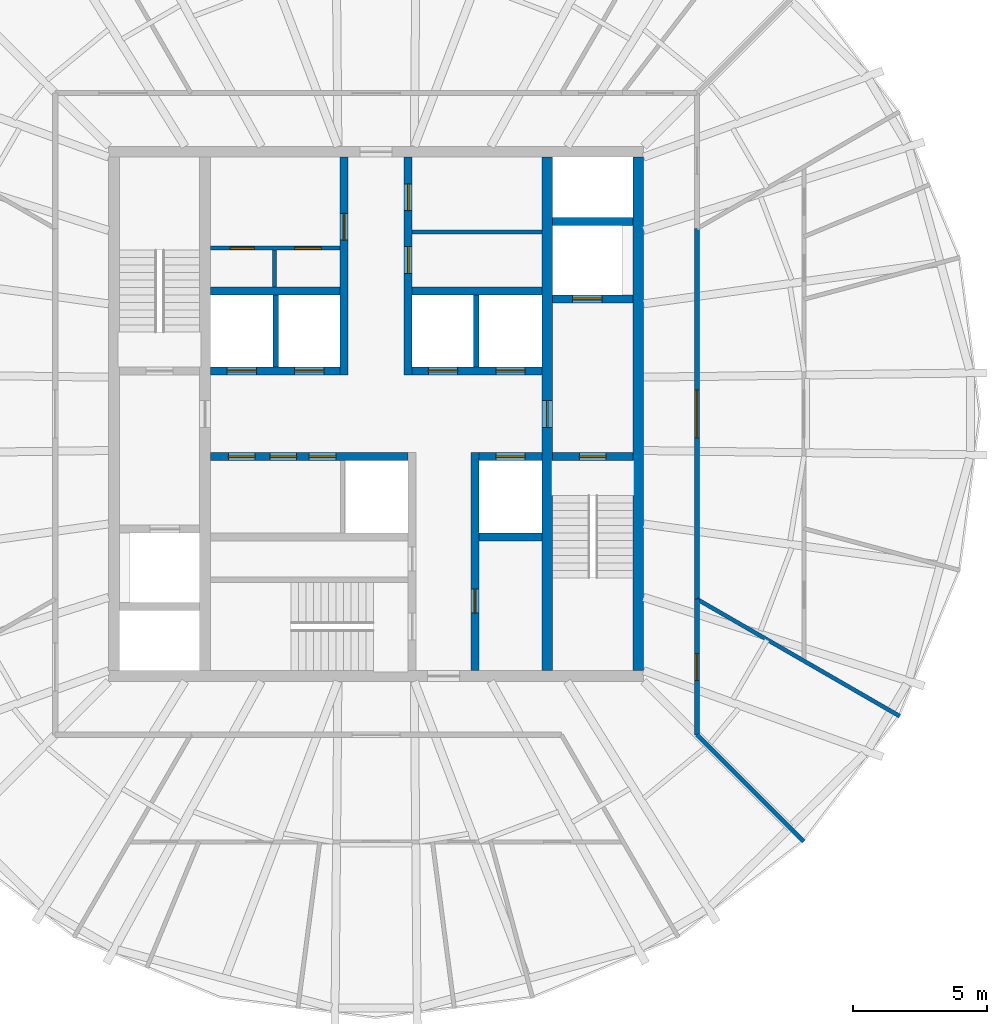
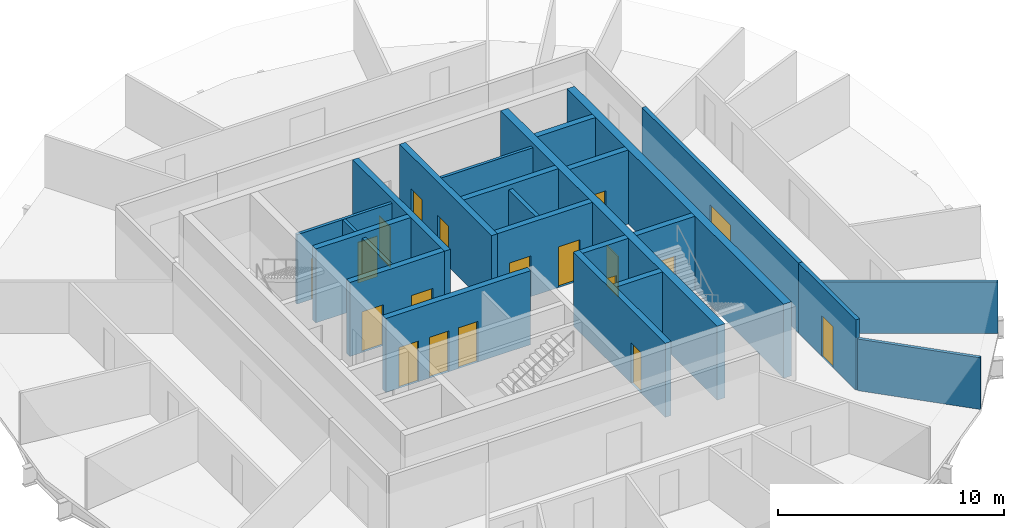
# One storey, part 4 of 6: 24 walls, 19 doors, 19 openings.
"""IFC4 building model written with IfcOpenShell, lengths in metres."""

from ifc_helpers import new_model, si_unit, direction, frame, frame_2d, origin, place, context, subcontext, project, spatial, rectangle, extrude, material, layer, layer_set, type_object, element, fill, save


model = new_model("IFC4")

# Units and contexts
model_context = context("Model", 3, precision=1e-05, world=origin(), true_north=direction((0.0, 1.0)))
body_context = subcontext(model_context, "Body", "Model", "MODEL_VIEW")
ifc_project = project(units=[si_unit("LENGTHUNIT", "METRE"), si_unit("AREAUNIT", "SQUARE_METRE"), si_unit("VOLUMEUNIT", "CUBIC_METRE"), si_unit("PLANEANGLEUNIT", "RADIAN"), si_unit("MASSUNIT", "GRAM", prefix="KILO")], contexts=[model_context])

# Site, building, storey
site_placement = place(None, origin())
site = spatial("IfcSite", under=ifc_project, at=site_placement, CompositionType="ELEMENT")
building_placement = place(site_placement, origin())
building = spatial("IfcBuilding", under=site, at=building_placement, Name="Golbaran Civic Tower", CompositionType="ELEMENT")
storey_placement = place(building_placement, frame((0.0, 0.0, 244.0)))
storey = spatial("IfcBuildingStorey", under=building, at=storey_placement, Name="L59", CompositionType="ELEMENT", Elevation=244.0)

# Walls
ifc_material_1 = material(Name="Concrete block", Category="concrete")
ifc_layer_1 = layer(ifc_material_1, 0.14990234375, Name="Concrete block")
ifc_layer_set_1 = layer_set([ifc_layer_1], Name="Concrete block")
wall_type_1 = type_object("IfcWallType", Name="BLOCKWORK PARTITION 150", PredefinedType="PARTITIONING", material=ifc_layer_set_1)
wall_1_placement = place(storey_placement, frame((1.35009765625, 6.800048828125, 0.0), z_axis=(0.0, 0.0, 1.0), x_axis=(1.0, 0.0, 0.0)))
element("IfcWall", 1, at=wall_1_placement, inside=storey, type_object=wall_type_1, Name="Toilet block partition TN1 L59", PredefinedType="PARTITIONING", context=body_context, shape_type="SweptSolid", body=[
    extrude(rectangle(XDim=4.849853515625, YDim=0.14990234375, at=frame_2d((2.4248046875, 0.0))), origin(), (0.0, 0.0, 1.0), 3.75),
])
ifc_material_2 = material(Name="Concrete C50/60", Category="concrete")
ifc_layer_2 = layer(ifc_material_2, 0.39990234375, Name="Concrete C50/60")
ifc_layer_set_2 = layer_set([ifc_layer_2], Name="Concrete C50/60")
wall_type_2 = type_object("IfcWallType", Name="CORE WALL CONCRETE 400", PredefinedType="SOLIDWALL", material=ifc_layer_set_2)
wall_2_placement = place(storey_placement, frame((9.800048828125, -9.60009765625, 0.0), z_axis=(0.0, 0.0, 1.0), x_axis=(0.0, 1.0, 0.0)))
element("IfcWall", 2, at=wall_2_placement, inside=storey, type_object=wall_type_2, Name="Core wall CE L59", PredefinedType="SOLIDWALL", context=body_context, shape_type="SweptSolid", body=[
    extrude(rectangle(XDim=19.2001953125, YDim=0.39990234375, at=frame_2d((9.60009765625, 0.0))), origin(), (0.0, 0.0, 1.0), 4.0),
])

# Wall, opening, door
wall_3_placement = place(storey_placement, frame((6.39990234375, 9.60009765625, 0.0), z_axis=(0.0, 0.0, 1.0), x_axis=(0.0, -1.0, 0.0)))
wall_3 = element("IfcWall", 3, at=wall_3_placement, inside=storey, type_object=wall_type_2, Name="Core wall IE L59", PredefinedType="SOLIDWALL", context=body_context, shape_type="SweptSolid", body=[
    extrude(rectangle(XDim=19.2001953125, YDim=0.39990234375, at=frame_2d((9.60009765625, 0.0))), origin(), (0.0, 0.0, 1.0), 4.0),
])
opening_1_placement = place(wall_3_placement, frame((9.10009765625, 0.0, 0.0)))
opening_1 = element("IfcOpeningElement", 4, at=opening_1_placement, cuts=wall_3, Name="Opening L59.FL2", PredefinedType="OPENING", context=body_context, shape_type="SweptSolid", body=[
    extrude(rectangle(XDim=1.0, YDim=2.199951171875, at=frame_2d((0.5, 1.10009765625))), frame((0.0, 0.2099609375, 0.0), z_axis=(0.0, -1.0, 0.0), x_axis=(1.0, 0.0, 0.0)), (0.0, 0.0, 1.0), 0.419921875),
])
ifc_material_3 = material(Name="Timber door set in steel frame", Category="steel")
door_type_1 = type_object("IfcDoorType", Name="STAIR DOOR 1000x2200", OperationType="SINGLE_SWING_LEFT", PredefinedType="DOOR", material=ifc_material_3)
door_1_placement = place(opening_1_placement, origin())
door_1 = element("IfcDoor", 5, at=door_1_placement, inside=storey, type_object=door_type_1, Name="Fire-fighting lobby FL2 door", OperationType="SINGLE_SWING_RIGHT", OverallHeight=2.199951171875, OverallWidth=1.0, PredefinedType="DOOR", context=body_context, shape_type="SweptSolid", body=[
    extrude(rectangle(XDim=1.0, YDim=2.199951171875, at=frame_2d((0.5, 1.10009765625))), frame((0.0, 0.02490234375, 0.0), z_axis=(0.0, -1.0, 0.0), x_axis=(1.0, 0.0, 0.0)), (0.0, 0.0, 1.0), 0.050048828125),
])
fill(opening_1, door_1)

ifc_material_4 = material(Name="Gypsum board on steel studs, fire-rated", Category="steel")
ifc_layer_3 = layer(ifc_material_4, 0.199951171875, Name="Gypsum board on steel studs, fire-rated")
ifc_layer_set_3 = layer_set([ifc_layer_3], Name="Gypsum board on steel studs, fire-rated")
wall_type_3 = type_object("IfcWallType", Name="CORRIDOR WALL 200", PredefinedType="PARTITIONING", material=ifc_layer_set_3)
wall_4_placement = place(storey_placement, frame((12.0, -6.92822265625, 0.0), z_axis=(0.0, 0.0, 1.0), x_axis=(0.0, 1.0, 0.0)))
wall_4 = element("IfcWall", 6, at=wall_4_placement, inside=storey, type_object=wall_type_3, Name="Corridor wall L59", PredefinedType="PARTITIONING", context=body_context, shape_type="SweptSolid", body=[
    extrude(rectangle(XDim=13.8564453125, YDim=0.199951171875, at=frame_2d((6.92822265625, 0.0))), origin(), (0.0, 0.0, 1.0), 3.800048828125),
])
opening_2_placement = place(wall_4_placement, frame((6.0283203125, 0.0, 0.0)))
opening_2 = element("IfcOpeningElement", 7, at=opening_2_placement, cuts=wall_4, Name="Opening L59.16", PredefinedType="OPENING", context=body_context, shape_type="SweptSolid", body=[
    extrude(rectangle(XDim=1.800048828125, YDim=2.199951171875, at=frame_2d((0.89990234375, 1.10009765625))), frame((0.0, 0.10986328125, 0.0), z_axis=(0.0, -1.0, 0.0), x_axis=(1.0, 0.0, 0.0)), (0.0, 0.0, 1.0), 0.219970703125),
])
door_type_2 = type_object("IfcDoorType", Name="OFFICE DOUBLE DOOR 1800x2200", OperationType="DOUBLE_DOOR_SINGLE_SWING", PredefinedType="DOOR", material=ifc_material_3)
door_2_placement = place(opening_2_placement, origin())
door_2 = element("IfcDoor", 8, at=door_2_placement, inside=storey, type_object=door_type_2, Name="Secretariat door L59", OperationType="DOUBLE_DOOR_SINGLE_SWING", OverallHeight=2.199951171875, OverallWidth=1.800048828125, PredefinedType="DOOR", context=body_context, shape_type="SweptSolid", body=[
    extrude(rectangle(XDim=1.800048828125, YDim=2.199951171875, at=frame_2d((0.89990234375, 1.10009765625))), frame((0.0, 0.02490234375, 0.0), z_axis=(0.0, -1.0, 0.0), x_axis=(1.0, 0.0, 0.0)), (0.0, 0.0, 1.0), 0.050048828125),
])
fill(opening_2, door_2)

wall_5_placement = place(storey_placement, frame((12.0, -12.0, 0.0), z_axis=(0.0, 0.0, 1.0), x_axis=(0.0, 1.0, 0.0)))
wall_5 = element("IfcWall", 9, at=wall_5_placement, inside=storey, type_object=wall_type_3, Name="Corridor wall L59", PredefinedType="PARTITIONING", context=body_context, shape_type="SweptSolid", body=[
    extrude(rectangle(XDim=5.07177734375, YDim=0.199951171875, at=frame_2d((2.535888671875, 0.0))), origin(), (0.0, 0.0, 1.0), 3.800048828125),
])
opening_3_placement = place(wall_5_placement, frame((2.035888671875, 0.0, 0.0)))
opening_3 = element("IfcOpeningElement", 10, at=opening_3_placement, cuts=wall_5, Name="Opening L59.25", PredefinedType="OPENING", context=body_context, shape_type="SweptSolid", body=[
    extrude(rectangle(XDim=1.0, YDim=2.199951171875, at=frame_2d((0.5, 1.10009765625))), frame((0.0, 0.10986328125, 0.0), z_axis=(0.0, -1.0, 0.0), x_axis=(1.0, 0.0, 0.0)), (0.0, 0.0, 1.0), 0.219970703125),
])
door_type_3 = type_object("IfcDoorType", Name="OFFICE DOOR 1000x2200", OperationType="SINGLE_SWING_LEFT", PredefinedType="DOOR", material=ifc_material_3)
door_3_placement = place(opening_3_placement, origin())
door_3 = element("IfcDoor", 11, at=door_3_placement, inside=storey, type_object=door_type_3, Name="Project Room door L59", OperationType="SINGLE_SWING_LEFT", OverallHeight=2.199951171875, OverallWidth=1.0, PredefinedType="DOOR", context=body_context, shape_type="SweptSolid", body=[
    extrude(rectangle(XDim=1.0, YDim=2.199951171875, at=frame_2d((0.5, 1.10009765625))), frame((0.0, 0.02490234375, 0.0), z_axis=(0.0, -1.0, 0.0), x_axis=(1.0, 0.0, 0.0)), (0.0, 0.0, 1.0), 0.050048828125),
])
fill(opening_3, door_3)

# Walls
ifc_layer_4 = layer(ifc_material_1, 0.199951171875, Name="Concrete block")
ifc_layer_set_4 = layer_set([ifc_layer_4], Name="Concrete block")
wall_type_4 = type_object("IfcWallType", Name="LIFT SEPARATOR WALL 200", PredefinedType="SOLIDWALL", material=ifc_layer_set_4)
for number, where, z_axis, x_axis, name in (
    (12, (-3.75, 1.75, 0.0), (0.0, 0.0, 1.0), (0.0, 1.0, 0.0), "Core partition SNW L59"),
    (13, (3.75, 1.75, 0.0), (0.0, 0.0, 1.0), (0.0, 1.0, 0.0), "Core partition SNE L59"),
):
    element("IfcWall", number, at=place(storey_placement, frame(where, z_axis=z_axis, x_axis=x_axis)), inside=storey, type_object=wall_type_4, Name=name, PredefinedType="SOLIDWALL", context=body_context, shape_type="SweptSolid", body=[
        extrude(rectangle(XDim=2.699951171875, YDim=0.199951171875, at=frame_2d((1.35009765625, 0.0))), origin(), (0.0, 0.0, 1.0), 3.75),
    ])
ifc_material_5 = material(Name="Gypsum board on steel studs", Category="steel")
ifc_layer_5 = layer(ifc_material_5, 0.14990234375, Name="Gypsum board on steel studs")
ifc_layer_set_5 = layer_set([ifc_layer_5], Name="Gypsum board on steel studs")
wall_type_5 = type_object("IfcWallType", Name="OFFICE PARTITION 150", PredefinedType="PARTITIONING", material=ifc_layer_set_5)
wall_6_placement = place(storey_placement, frame((12.0, -6.92822265625, 0.0), z_axis=(0.0, 0.0, 1.0), x_axis=(0.866020224182, -0.500008971228, 0.0)))
element("IfcWall", 14, at=wall_6_placement, inside=storey, type_object=wall_type_5, Name="Partition 330 L59", PredefinedType="PARTITIONING", context=body_context, shape_type="SweptSolid", body=[
    extrude(rectangle(XDim=8.752685546875, YDim=0.14990234375, at=frame_2d((4.37646484375, 0.0))), origin(), (0.0, 0.0, 1.0), 2.7900390625),
])
wall_7_placement = place(storey_placement, frame((12.0, -12.0, 0.0), z_axis=(0.0, 0.0, 1.0), x_axis=(0.707106781187, -0.707106781187, 0.0)))
element("IfcWall", 15, at=wall_7_placement, inside=storey, type_object=wall_type_5, Name="Partition 315 L59", PredefinedType="PARTITIONING", context=body_context, shape_type="SweptSolid", body=[
    extrude(rectangle(XDim=5.638671875, YDim=0.14990234375, at=frame_2d((2.8193359375, 0.0))), origin(), (0.0, 0.0, 1.0), 2.7900390625),
])

# Wall, openings, doors
ifc_layer_6 = layer(ifc_material_2, 0.300048828125, Name="Concrete C50/60")
ifc_layer_set_6 = layer_set([ifc_layer_6], Name="Concrete C50/60")
wall_type_6 = type_object("IfcWallType", Name="SHAFT WALL CONCRETE 300", PredefinedType="SOLIDWALL", material=ifc_layer_set_6)
wall_8_placement = place(storey_placement, frame((-6.199951171875, 1.60009765625, 0.0), z_axis=(0.0, 0.0, 1.0), x_axis=(1.0, 0.0, 0.0)))
wall_8 = element("IfcWall", 16, at=wall_8_placement, inside=storey, type_object=wall_type_6, Name="Core wall FNW L59", PredefinedType="SOLIDWALL", context=body_context, shape_type="SweptSolid", body=[
    extrude(rectangle(XDim=4.849853515625, YDim=0.300048828125, at=frame_2d((2.4248046875, 0.0))), origin(), (0.0, 0.0, 1.0), 4.0),
])
opening_4_placement = place(wall_8_placement, frame((0.625, 0.0, 0.0)))
opening_4 = element("IfcOpeningElement", 17, at=opening_4_placement, cuts=wall_8, Name="Opening L59.LD-Z1T", PredefinedType="OPENING", context=body_context, shape_type="SweptSolid", body=[
    extrude(rectangle(XDim=1.10009765625, YDim=2.199951171875, at=frame_2d((0.550048828125, 1.10009765625))), frame((0.0, 0.159912109375, 0.0), z_axis=(0.0, -1.0, 0.0), x_axis=(1.0, 0.0, 0.0)), (0.0, 0.0, 1.0), 0.320068359375),
])
opening_5_placement = place(wall_8_placement, frame((3.14990234375, 0.0, 0.0)))
opening_5 = element("IfcOpeningElement", 18, at=opening_5_placement, cuts=wall_8, Name="Opening L59.LD-Z2T", PredefinedType="OPENING", context=body_context, shape_type="SweptSolid", body=[
    extrude(rectangle(XDim=1.10009765625, YDim=2.199951171875, at=frame_2d((0.550048828125, 1.10009765625))), frame((0.0, 0.159912109375, 0.0), z_axis=(0.0, -1.0, 0.0), x_axis=(1.0, 0.0, 0.0)), (0.0, 0.0, 1.0), 0.320068359375),
])
ifc_material_6 = material(Name="Stainless steel", Category="steel")
door_type_4 = type_object("IfcDoorType", Name="LIFT LANDING DOOR 1100x2200", OperationType="SLIDING_TO_LEFT", PredefinedType="DOOR", material=ifc_material_6)
door_4_placement = place(opening_4_placement, origin())
door_4 = element("IfcDoor", 19, at=door_4_placement, inside=storey, type_object=door_type_4, Name="Lift landing door Z1T", OperationType="SLIDING_TO_LEFT", OverallHeight=2.199951171875, OverallWidth=1.10009765625, PredefinedType="DOOR", context=body_context, shape_type="SweptSolid", body=[
    extrude(rectangle(XDim=1.10009765625, YDim=2.199951171875, at=frame_2d((0.550048828125, 1.10009765625))), frame((0.0, 0.02490234375, 0.0), z_axis=(0.0, -1.0, 0.0), x_axis=(1.0, 0.0, 0.0)), (0.0, 0.0, 1.0), 0.050048828125),
])
fill(opening_4, door_4)
door_5_placement = place(opening_5_placement, origin())
door_5 = element("IfcDoor", 20, at=door_5_placement, inside=storey, type_object=door_type_4, Name="Lift landing door Z2T", OperationType="SLIDING_TO_LEFT", OverallHeight=2.199951171875, OverallWidth=1.10009765625, PredefinedType="DOOR", context=body_context, shape_type="SweptSolid", body=[
    extrude(rectangle(XDim=1.10009765625, YDim=2.199951171875, at=frame_2d((0.550048828125, 1.10009765625))), frame((0.0, 0.02490234375, 0.0), z_axis=(0.0, -1.0, 0.0), x_axis=(1.0, 0.0, 0.0)), (0.0, 0.0, 1.0), 0.050048828125),
])
fill(opening_5, door_5)

wall_9_placement = place(storey_placement, frame((1.35009765625, 1.60009765625, 0.0), z_axis=(0.0, 0.0, 1.0), x_axis=(1.0, 0.0, 0.0)))
wall_9 = element("IfcWall", 21, at=wall_9_placement, inside=storey, type_object=wall_type_6, Name="Core wall FNE L59", PredefinedType="SOLIDWALL", context=body_context, shape_type="SweptSolid", body=[
    extrude(rectangle(XDim=4.849853515625, YDim=0.300048828125, at=frame_2d((2.4248046875, 0.0))), origin(), (0.0, 0.0, 1.0), 4.0),
])
opening_6_placement = place(wall_9_placement, frame((0.60009765625, 0.0, 0.0)))
opening_6 = element("IfcOpeningElement", 22, at=opening_6_placement, cuts=wall_9, Name="Opening L59.LD-Z3T", PredefinedType="OPENING", context=body_context, shape_type="SweptSolid", body=[
    extrude(rectangle(XDim=1.10009765625, YDim=2.199951171875, at=frame_2d((0.550048828125, 1.10009765625))), frame((0.0, 0.159912109375, 0.0), z_axis=(0.0, -1.0, 0.0), x_axis=(1.0, 0.0, 0.0)), (0.0, 0.0, 1.0), 0.320068359375),
])
opening_7_placement = place(wall_9_placement, frame((3.125, 0.0, 0.0)))
opening_7 = element("IfcOpeningElement", 23, at=opening_7_placement, cuts=wall_9, Name="Opening L59.LD-Z4T", PredefinedType="OPENING", context=body_context, shape_type="SweptSolid", body=[
    extrude(rectangle(XDim=1.10009765625, YDim=2.199951171875, at=frame_2d((0.550048828125, 1.10009765625))), frame((0.0, 0.159912109375, 0.0), z_axis=(0.0, -1.0, 0.0), x_axis=(1.0, 0.0, 0.0)), (0.0, 0.0, 1.0), 0.320068359375),
])
door_6_placement = place(opening_6_placement, origin())
door_6 = element("IfcDoor", 24, at=door_6_placement, inside=storey, type_object=door_type_4, Name="Lift landing door Z3T", OperationType="SLIDING_TO_LEFT", OverallHeight=2.199951171875, OverallWidth=1.10009765625, PredefinedType="DOOR", context=body_context, shape_type="SweptSolid", body=[
    extrude(rectangle(XDim=1.10009765625, YDim=2.199951171875, at=frame_2d((0.550048828125, 1.10009765625))), frame((0.0, 0.02490234375, 0.0), z_axis=(0.0, -1.0, 0.0), x_axis=(1.0, 0.0, 0.0)), (0.0, 0.0, 1.0), 0.050048828125),
])
fill(opening_6, door_6)
door_7_placement = place(opening_7_placement, origin())
door_7 = element("IfcDoor", 25, at=door_7_placement, inside=storey, type_object=door_type_4, Name="Lift landing door Z4T", OperationType="SLIDING_TO_LEFT", OverallHeight=2.199951171875, OverallWidth=1.10009765625, PredefinedType="DOOR", context=body_context, shape_type="SweptSolid", body=[
    extrude(rectangle(XDim=1.10009765625, YDim=2.199951171875, at=frame_2d((0.550048828125, 1.10009765625))), frame((0.0, 0.02490234375, 0.0), z_axis=(0.0, -1.0, 0.0), x_axis=(1.0, 0.0, 0.0)), (0.0, 0.0, 1.0), 0.050048828125),
])
fill(opening_7, door_7)

# Walls
for number, where, z_axis, x_axis, name in (
    (26, (-6.199951171875, 4.60009765625, 0.0), (0.0, 0.0, 1.0), (1.0, 0.0, 0.0), "Core wall BNW L59"),
    (27, (1.35009765625, 4.60009765625, 0.0), (0.0, 0.0, 1.0), (1.0, 0.0, 0.0), "Core wall BNE L59"),
):
    element("IfcWall", number, at=place(storey_placement, frame(where, z_axis=z_axis, x_axis=x_axis)), inside=storey, type_object=wall_type_6, Name=name, PredefinedType="SOLIDWALL", context=body_context, shape_type="SweptSolid", body=[
        extrude(rectangle(XDim=4.849853515625, YDim=0.300048828125, at=frame_2d((2.4248046875, 0.0))), origin(), (0.0, 0.0, 1.0), 4.0),
    ])

# Wall, opening, door
wall_10_placement = place(storey_placement, frame((-1.199951171875, 1.449951171875, 0.0), z_axis=(0.0, 0.0, 1.0), x_axis=(0.0, 1.0, 0.0)))
wall_10 = element("IfcWall", 28, at=wall_10_placement, inside=storey, type_object=wall_type_6, Name="Core wall PNW L59", PredefinedType="SOLIDWALL", context=body_context, shape_type="SweptSolid", body=[
    extrude(rectangle(XDim=8.150146484375, YDim=0.300048828125, at=frame_2d((4.0751953125, 0.0))), origin(), (0.0, 0.0, 1.0), 4.0),
])
opening_8_placement = place(wall_10_placement, frame((5.050048828125, 0.0, 0.0)))
opening_8 = element("IfcOpeningElement", 29, at=opening_8_placement, cuts=wall_10, Name="Opening L59.WCM", PredefinedType="OPENING", context=body_context, shape_type="SweptSolid", body=[
    extrude(rectangle(XDim=1.0, YDim=2.199951171875, at=frame_2d((0.5, 1.10009765625))), frame((0.0, 0.159912109375, 0.0), z_axis=(0.0, -1.0, 0.0), x_axis=(1.0, 0.0, 0.0)), (0.0, 0.0, 1.0), 0.320068359375),
])
door_type_5 = type_object("IfcDoorType", Name="TOILET DOOR 1000x2200", OperationType="SINGLE_SWING_LEFT", PredefinedType="DOOR", material=ifc_material_3)
door_8_placement = place(opening_8_placement, origin())
door_8 = element("IfcDoor", 30, at=door_8_placement, inside=storey, type_object=door_type_5, Name="North-west toilet block door", OperationType="SINGLE_SWING_RIGHT", OverallHeight=2.199951171875, OverallWidth=1.0, PredefinedType="DOOR", context=body_context, shape_type="SweptSolid", body=[
    extrude(rectangle(XDim=1.0, YDim=2.199951171875, at=frame_2d((0.5, 1.10009765625))), frame((0.0, 0.02490234375, 0.0), z_axis=(0.0, -1.0, 0.0), x_axis=(1.0, 0.0, 0.0)), (0.0, 0.0, 1.0), 0.050048828125),
])
fill(opening_8, door_8)

# Wall, openings, doors
wall_11_placement = place(storey_placement, frame((1.199951171875, 1.449951171875, 0.0), z_axis=(0.0, 0.0, 1.0), x_axis=(0.0, 1.0, 0.0)))
wall_11 = element("IfcWall", 31, at=wall_11_placement, inside=storey, type_object=wall_type_6, Name="Core wall PNE L59", PredefinedType="SOLIDWALL", context=body_context, shape_type="SweptSolid", body=[
    extrude(rectangle(XDim=8.150146484375, YDim=0.300048828125, at=frame_2d((4.0751953125, 0.0))), origin(), (0.0, 0.0, 1.0), 4.0),
])
opening_9_placement = place(wall_11_placement, frame((3.800048828125, 0.0, 0.0)))
opening_9 = element("IfcOpeningElement", 32, at=opening_9_placement, cuts=wall_11, Name="Opening L59.WCA", PredefinedType="OPENING", context=body_context, shape_type="SweptSolid", body=[
    extrude(rectangle(XDim=1.0, YDim=2.199951171875, at=frame_2d((0.5, 1.10009765625))), frame((0.0, 0.159912109375, 0.0), z_axis=(0.0, -1.0, 0.0), x_axis=(1.0, 0.0, 0.0)), (0.0, 0.0, 1.0), 0.320068359375),
])
opening_10_placement = place(wall_11_placement, frame((6.14990234375, 0.0, 0.0)))
opening_10 = element("IfcOpeningElement", 33, at=opening_10_placement, cuts=wall_11, Name="Opening L59.WCF", PredefinedType="OPENING", context=body_context, shape_type="SweptSolid", body=[
    extrude(rectangle(XDim=1.0, YDim=2.199951171875, at=frame_2d((0.5, 1.10009765625))), frame((0.0, 0.159912109375, 0.0), z_axis=(0.0, -1.0, 0.0), x_axis=(1.0, 0.0, 0.0)), (0.0, 0.0, 1.0), 0.320068359375),
])
door_9_placement = place(opening_9_placement, origin())
door_9 = element("IfcDoor", 34, at=door_9_placement, inside=storey, type_object=door_type_5, Name="Accessible WC door", OperationType="SINGLE_SWING_RIGHT", OverallHeight=2.199951171875, OverallWidth=1.0, PredefinedType="DOOR", context=body_context, shape_type="SweptSolid", body=[
    extrude(rectangle(XDim=1.0, YDim=2.199951171875, at=frame_2d((0.5, 1.10009765625))), frame((0.0, 0.02490234375, 0.0), z_axis=(0.0, -1.0, 0.0), x_axis=(1.0, 0.0, 0.0)), (0.0, 0.0, 1.0), 0.050048828125),
])
fill(opening_9, door_9)
door_10_placement = place(opening_10_placement, origin())
door_10 = element("IfcDoor", 35, at=door_10_placement, inside=storey, type_object=door_type_5, Name="North-east toilet block door", OperationType="SINGLE_SWING_RIGHT", OverallHeight=2.199951171875, OverallWidth=1.0, PredefinedType="DOOR", context=body_context, shape_type="SweptSolid", body=[
    extrude(rectangle(XDim=1.0, YDim=2.199951171875, at=frame_2d((0.5, 1.10009765625))), frame((0.0, 0.02490234375, 0.0), z_axis=(0.0, -1.0, 0.0), x_axis=(1.0, 0.0, 0.0)), (0.0, 0.0, 1.0), 0.050048828125),
])
fill(opening_10, door_10)

wall_12_placement = place(storey_placement, frame((-6.199951171875, -1.60009765625, 0.0), z_axis=(0.0, 0.0, 1.0), x_axis=(1.0, 0.0, 0.0)))
wall_12 = element("IfcWall", 36, at=wall_12_placement, inside=storey, type_object=wall_type_6, Name="Core wall FSW L59", PredefinedType="SOLIDWALL", context=body_context, shape_type="SweptSolid", body=[
    extrude(rectangle(XDim=7.39990234375, YDim=0.300048828125, at=frame_2d((3.699951171875, 0.0))), origin(), (0.0, 0.0, 1.0), 4.0),
])
opening_11_placement = place(wall_12_placement, frame((0.675048828125, 0.0, 0.0)))
opening_11 = element("IfcOpeningElement", 37, at=opening_11_placement, cuts=wall_12, Name="Opening L59.H1R", PredefinedType="OPENING", context=body_context, shape_type="SweptSolid", body=[
    extrude(rectangle(XDim=1.0, YDim=2.199951171875, at=frame_2d((0.5, 1.10009765625))), frame((0.0, 0.159912109375, 0.0), z_axis=(0.0, -1.0, 0.0), x_axis=(1.0, 0.0, 0.0)), (0.0, 0.0, 1.0), 0.320068359375),
])
opening_12_placement = place(wall_12_placement, frame((2.22509765625, 0.0, 0.0)))
opening_12 = element("IfcOpeningElement", 38, at=opening_12_placement, cuts=wall_12, Name="Opening L59.H2R", PredefinedType="OPENING", context=body_context, shape_type="SweptSolid", body=[
    extrude(rectangle(XDim=1.0, YDim=2.199951171875, at=frame_2d((0.5, 1.10009765625))), frame((0.0, 0.159912109375, 0.0), z_axis=(0.0, -1.0, 0.0), x_axis=(1.0, 0.0, 0.0)), (0.0, 0.0, 1.0), 0.320068359375),
])
opening_13_placement = place(wall_12_placement, frame((3.695068359375, 0.0, 0.0)))
opening_13 = element("IfcOpeningElement", 39, at=opening_13_placement, cuts=wall_12, Name="Opening L59.H3R", PredefinedType="OPENING", context=body_context, shape_type="SweptSolid", body=[
    extrude(rectangle(XDim=1.0, YDim=2.199951171875, at=frame_2d((0.5, 1.10009765625))), frame((0.0, 0.159912109375, 0.0), z_axis=(0.0, -1.0, 0.0), x_axis=(1.0, 0.0, 0.0)), (0.0, 0.0, 1.0), 0.320068359375),
])
door_type_6 = type_object("IfcDoorType", Name="CORE ROOM DOOR 1000x2200", OperationType="SINGLE_SWING_LEFT", PredefinedType="DOOR", material=ifc_material_3)
door_11_placement = place(opening_11_placement, origin())
door_11 = element("IfcDoor", 40, at=door_11_placement, inside=storey, type_object=door_type_6, Name="Archive and Records Room door", OperationType="SINGLE_SWING_LEFT", OverallHeight=2.199951171875, OverallWidth=1.0, PredefinedType="DOOR", context=body_context, shape_type="SweptSolid", body=[
    extrude(rectangle(XDim=1.0, YDim=2.199951171875, at=frame_2d((0.5, 1.10009765625))), frame((0.0, 0.02490234375, 0.0), z_axis=(0.0, -1.0, 0.0), x_axis=(1.0, 0.0, 0.0)), (0.0, 0.0, 1.0), 0.050048828125),
])
fill(opening_11, door_11)
door_12_placement = place(opening_12_placement, origin())
door_12 = element("IfcDoor", 41, at=door_12_placement, inside=storey, type_object=door_type_6, Name="Archive and Records Room door", OperationType="SINGLE_SWING_LEFT", OverallHeight=2.199951171875, OverallWidth=1.0, PredefinedType="DOOR", context=body_context, shape_type="SweptSolid", body=[
    extrude(rectangle(XDim=1.0, YDim=2.199951171875, at=frame_2d((0.5, 1.10009765625))), frame((0.0, 0.02490234375, 0.0), z_axis=(0.0, -1.0, 0.0), x_axis=(1.0, 0.0, 0.0)), (0.0, 0.0, 1.0), 0.050048828125),
])
fill(opening_12, door_12)
door_13_placement = place(opening_13_placement, origin())
door_13 = element("IfcDoor", 42, at=door_13_placement, inside=storey, type_object=door_type_6, Name="Archive and Records Room door", OperationType="SINGLE_SWING_RIGHT", OverallHeight=2.199951171875, OverallWidth=1.0, PredefinedType="DOOR", context=body_context, shape_type="SweptSolid", body=[
    extrude(rectangle(XDim=1.0, YDim=2.199951171875, at=frame_2d((0.5, 1.10009765625))), frame((0.0, 0.02490234375, 0.0), z_axis=(0.0, -1.0, 0.0), x_axis=(1.0, 0.0, 0.0)), (0.0, 0.0, 1.0), 0.050048828125),
])
fill(opening_13, door_13)

# Wall, opening, door
wall_13_placement = place(storey_placement, frame((3.85009765625, -1.60009765625, 0.0), z_axis=(0.0, 0.0, 1.0), x_axis=(1.0, 0.0, 0.0)))
wall_13 = element("IfcWall", 43, at=wall_13_placement, inside=storey, type_object=wall_type_6, Name="Core wall FSE L59", PredefinedType="SOLIDWALL", context=body_context, shape_type="SweptSolid", body=[
    extrude(rectangle(XDim=2.349853515625, YDim=0.300048828125, at=frame_2d((1.1748046875, 0.0))), origin(), (0.0, 0.0, 1.0), 4.0),
])
opening_14_placement = place(wall_13_placement, frame((0.625, 0.0, 0.0)))
opening_14 = element("IfcOpeningElement", 44, at=opening_14_placement, cuts=wall_13, Name="Opening L59.LD-V1", PredefinedType="OPENING", context=body_context, shape_type="SweptSolid", body=[
    extrude(rectangle(XDim=1.10009765625, YDim=2.199951171875, at=frame_2d((0.550048828125, 1.10009765625))), frame((0.0, 0.159912109375, 0.0), z_axis=(0.0, -1.0, 0.0), x_axis=(1.0, 0.0, 0.0)), (0.0, 0.0, 1.0), 0.320068359375),
])
door_14_placement = place(opening_14_placement, origin())
door_14 = element("IfcDoor", 45, at=door_14_placement, inside=storey, type_object=door_type_4, Name="Lift landing door V1", OperationType="SLIDING_TO_LEFT", OverallHeight=2.199951171875, OverallWidth=1.10009765625, PredefinedType="DOOR", context=body_context, shape_type="SweptSolid", body=[
    extrude(rectangle(XDim=1.10009765625, YDim=2.199951171875, at=frame_2d((0.550048828125, 1.10009765625))), frame((0.0, 0.02490234375, 0.0), z_axis=(0.0, -1.0, 0.0), x_axis=(1.0, 0.0, 0.0)), (0.0, 0.0, 1.0), 0.050048828125),
])
fill(opening_14, door_14)

# Wall
wall_14_placement = place(storey_placement, frame((3.85009765625, -4.60009765625, 0.0), z_axis=(0.0, 0.0, 1.0), x_axis=(1.0, 0.0, 0.0)))
element("IfcWall", 46, at=wall_14_placement, inside=storey, type_object=wall_type_6, Name="Core wall BSE L59", PredefinedType="SOLIDWALL", context=body_context, shape_type="SweptSolid", body=[
    extrude(rectangle(XDim=2.349853515625, YDim=0.300048828125, at=frame_2d((1.1748046875, 0.0))), origin(), (0.0, 0.0, 1.0), 4.0),
])

# Wall, opening, door
wall_15_placement = place(storey_placement, frame((3.699951171875, -1.449951171875, 0.0), z_axis=(0.0, 0.0, 1.0), x_axis=(0.0, -1.0, 0.0)))
wall_15 = element("IfcWall", 47, at=wall_15_placement, inside=storey, type_object=wall_type_6, Name="Core wall PSE L59", PredefinedType="SOLIDWALL", context=body_context, shape_type="SweptSolid", body=[
    extrude(rectangle(XDim=8.150146484375, YDim=0.300048828125, at=frame_2d((4.0751953125, 0.0))), origin(), (0.0, 0.0, 1.0), 4.0),
])
opening_15_placement = place(wall_15_placement, frame((5.10009765625, 0.0, 0.0)))
opening_15 = element("IfcOpeningElement", 48, at=opening_15_placement, cuts=wall_15, Name="Opening L59.RM", PredefinedType="OPENING", context=body_context, shape_type="SweptSolid", body=[
    extrude(rectangle(XDim=0.89990234375, YDim=2.199951171875, at=frame_2d((0.449951171875, 1.10009765625))), frame((0.0, 0.159912109375, 0.0), z_axis=(0.0, -1.0, 0.0), x_axis=(1.0, 0.0, 0.0)), (0.0, 0.0, 1.0), 0.320068359375),
])
door_type_7 = type_object("IfcDoorType", Name="RISER DOOR 900x2200", OperationType="SINGLE_SWING_LEFT", PredefinedType="DOOR", material=ifc_material_3)
door_15_placement = place(opening_15_placement, origin())
door_15 = element("IfcDoor", 49, at=door_15_placement, inside=storey, type_object=door_type_7, Name="Mechanical riser door", OperationType="SINGLE_SWING_RIGHT", OverallHeight=2.199951171875, OverallWidth=0.89990234375, PredefinedType="DOOR", context=body_context, shape_type="SweptSolid", body=[
    extrude(rectangle(XDim=0.89990234375, YDim=2.199951171875, at=frame_2d((0.449951171875, 1.10009765625))), frame((0.0, 0.02490234375, 0.0), z_axis=(0.0, -1.0, 0.0), x_axis=(1.0, 0.0, 0.0)), (0.0, 0.0, 1.0), 0.050048828125),
])
fill(opening_15, door_15)

wall_16_placement = place(storey_placement, frame((6.60009765625, -1.60009765625, 0.0), z_axis=(0.0, 0.0, 1.0), x_axis=(1.0, 0.0, 0.0)))
wall_16 = element("IfcWall", 50, at=wall_16_placement, inside=storey, type_object=wall_type_6, Name="Core wall XE1 L59", PredefinedType="SOLIDWALL", context=body_context, shape_type="SweptSolid", body=[
    extrude(rectangle(XDim=3.0, YDim=0.300048828125, at=frame_2d((1.5, 0.0))), origin(), (0.0, 0.0, 1.0), 4.0),
])
opening_16_placement = place(wall_16_placement, frame((1.0, 0.0, 0.0)))
opening_16 = element("IfcOpeningElement", 51, at=opening_16_placement, cuts=wall_16, Name="Opening L59.S2", PredefinedType="OPENING", context=body_context, shape_type="SweptSolid", body=[
    extrude(rectangle(XDim=1.0, YDim=2.199951171875, at=frame_2d((0.5, 1.10009765625))), frame((0.0, 0.159912109375, 0.0), z_axis=(0.0, -1.0, 0.0), x_axis=(1.0, 0.0, 0.0)), (0.0, 0.0, 1.0), 0.320068359375),
])
door_16_placement = place(opening_16_placement, origin())
door_16 = element("IfcDoor", 52, at=door_16_placement, inside=storey, type_object=door_type_1, Name="Stair S2 door", OperationType="SINGLE_SWING_LEFT", OverallHeight=2.199951171875, OverallWidth=1.0, PredefinedType="DOOR", context=body_context, shape_type="SweptSolid", body=[
    extrude(rectangle(XDim=1.0, YDim=2.199951171875, at=frame_2d((0.5, 1.10009765625))), frame((0.0, 0.02490234375, 0.0), z_axis=(0.0, -1.0, 0.0), x_axis=(1.0, 0.0, 0.0)), (0.0, 0.0, 1.0), 0.050048828125),
])
fill(opening_16, door_16)

wall_17_placement = place(storey_placement, frame((6.60009765625, 4.300048828125, 0.0), z_axis=(0.0, 0.0, 1.0), x_axis=(1.0, 0.0, 0.0)))
wall_17 = element("IfcWall", 53, at=wall_17_placement, inside=storey, type_object=wall_type_6, Name="Core wall XE2 L59", PredefinedType="SOLIDWALL", context=body_context, shape_type="SweptSolid", body=[
    extrude(rectangle(XDim=3.0, YDim=0.300048828125, at=frame_2d((1.5, 0.0))), origin(), (0.0, 0.0, 1.0), 4.0),
])
opening_17_placement = place(wall_17_placement, frame((0.75, 0.0, 0.0)))
opening_17 = element("IfcOpeningElement", 54, at=opening_17_placement, cuts=wall_17, Name="Opening L59.LD-F2", PredefinedType="OPENING", context=body_context, shape_type="SweptSolid", body=[
    extrude(rectangle(XDim=1.10009765625, YDim=2.199951171875, at=frame_2d((0.550048828125, 1.10009765625))), frame((0.0, 0.159912109375, 0.0), z_axis=(0.0, -1.0, 0.0), x_axis=(1.0, 0.0, 0.0)), (0.0, 0.0, 1.0), 0.320068359375),
])
door_17_placement = place(opening_17_placement, origin())
door_17 = element("IfcDoor", 55, at=door_17_placement, inside=storey, type_object=door_type_4, Name="Lift landing door F2", OperationType="SLIDING_TO_LEFT", OverallHeight=2.199951171875, OverallWidth=1.10009765625, PredefinedType="DOOR", context=body_context, shape_type="SweptSolid", body=[
    extrude(rectangle(XDim=1.10009765625, YDim=2.199951171875, at=frame_2d((0.550048828125, 1.10009765625))), frame((0.0, 0.02490234375, 0.0), z_axis=(0.0, -1.0, 0.0), x_axis=(1.0, 0.0, 0.0)), (0.0, 0.0, 1.0), 0.050048828125),
])
fill(opening_17, door_17)

# Wall
wall_18_placement = place(storey_placement, frame((6.60009765625, 7.199951171875, 0.0), z_axis=(0.0, 0.0, 1.0), x_axis=(1.0, 0.0, 0.0)))
element("IfcWall", 56, at=wall_18_placement, inside=storey, type_object=wall_type_6, Name="Core wall XE3 L59", PredefinedType="SOLIDWALL", context=body_context, shape_type="SweptSolid", body=[
    extrude(rectangle(XDim=3.0, YDim=0.300048828125, at=frame_2d((1.5, 0.0))), origin(), (0.0, 0.0, 1.0), 4.0),
])

# Wall, openings, doors
ifc_material_7 = material(Name="Moisture-resistant gypsum board on steel studs", Category="steel")
ifc_layer_7 = layer(ifc_material_7, 0.14990234375, Name="Moisture-resistant gypsum board on steel studs")
ifc_layer_set_7 = layer_set([ifc_layer_7], Name="Moisture-resistant gypsum board on steel studs")
wall_type_7 = type_object("IfcWallType", Name="TOILET BLOCK PARTITION 150", PredefinedType="PARTITIONING", material=ifc_layer_set_7)
wall_19_placement = place(storey_placement, frame((-6.199951171875, 6.199951171875, 0.0), z_axis=(0.0, 0.0, 1.0), x_axis=(1.0, 0.0, 0.0)))
wall_19 = element("IfcWall", 57, at=wall_19_placement, inside=storey, type_object=wall_type_7, Name="Toilet block partition MSH L59", PredefinedType="PARTITIONING", context=body_context, shape_type="SweptSolid", body=[
    extrude(rectangle(XDim=4.849853515625, YDim=0.14990234375, at=frame_2d((2.4248046875, 0.0))), origin(), (0.0, 0.0, 1.0), 3.75),
])
opening_18_placement = place(wall_19_placement, frame((3.14990234375, 0.0, 0.0)))
opening_18 = element("IfcOpeningElement", 58, at=opening_18_placement, cuts=wall_19, Name="Opening L59.26", PredefinedType="OPENING", context=body_context, shape_type="SweptSolid", body=[
    extrude(rectangle(XDim=1.0, YDim=2.199951171875, at=frame_2d((0.5, 1.10009765625))), frame((0.0, 0.0849609375, 0.0), z_axis=(0.0, -1.0, 0.0), x_axis=(1.0, 0.0, 0.0)), (0.0, 0.0, 1.0), 0.169921875),
])
opening_19_placement = place(wall_19_placement, frame((0.75, 0.0, 0.0)))
opening_19 = element("IfcOpeningElement", 59, at=opening_19_placement, cuts=wall_19, Name="Opening L59.27", PredefinedType="OPENING", context=body_context, shape_type="SweptSolid", body=[
    extrude(rectangle(XDim=0.89990234375, YDim=2.199951171875, at=frame_2d((0.449951171875, 1.10009765625))), frame((0.0, 0.0849609375, 0.0), z_axis=(0.0, -1.0, 0.0), x_axis=(1.0, 0.0, 0.0)), (0.0, 0.0, 1.0), 0.169921875),
])
door_18_placement = place(opening_19_placement, origin())
door_18 = element("IfcDoor", 60, at=door_18_placement, inside=storey, type_object=door_type_7, Name="Cleaner's store door", OperationType="SINGLE_SWING_LEFT", OverallHeight=2.199951171875, OverallWidth=0.89990234375, PredefinedType="DOOR", context=body_context, shape_type="SweptSolid", body=[
    extrude(rectangle(XDim=0.89990234375, YDim=2.199951171875, at=frame_2d((0.449951171875, 1.10009765625))), frame((0.0, 0.02490234375, 0.0), z_axis=(0.0, -1.0, 0.0), x_axis=(1.0, 0.0, 0.0)), (0.0, 0.0, 1.0), 0.050048828125),
])
fill(opening_19, door_18)
door_19_placement = place(opening_18_placement, origin())
door_19 = element("IfcDoor", 61, at=door_19_placement, inside=storey, type_object=door_type_5, Name="Male shower room door", OperationType="SINGLE_SWING_RIGHT", OverallHeight=2.199951171875, OverallWidth=1.0, PredefinedType="DOOR", context=body_context, shape_type="SweptSolid", body=[
    extrude(rectangle(XDim=1.0, YDim=2.199951171875, at=frame_2d((0.5, 1.10009765625))), frame((0.0, 0.02490234375, 0.0), z_axis=(0.0, -1.0, 0.0), x_axis=(1.0, 0.0, 0.0)), (0.0, 0.0, 1.0), 0.050048828125),
])
fill(opening_18, door_19)

# Wall
wall_20_placement = place(storey_placement, frame((-3.800048828125, 4.75, 0.0), z_axis=(0.0, 0.0, 1.0), x_axis=(0.0, 1.0, 0.0)))
element("IfcWall", 62, at=wall_20_placement, inside=storey, type_object=wall_type_7, Name="Toilet block partition MST L59", PredefinedType="PARTITIONING", context=body_context, shape_type="SweptSolid", body=[
    extrude(rectangle(XDim=1.375, YDim=0.14990234375, at=frame_2d((0.6875, 0.0))), origin(), (0.0, 0.0, 1.0), 3.75),
])

save(model, "model.ifc")
